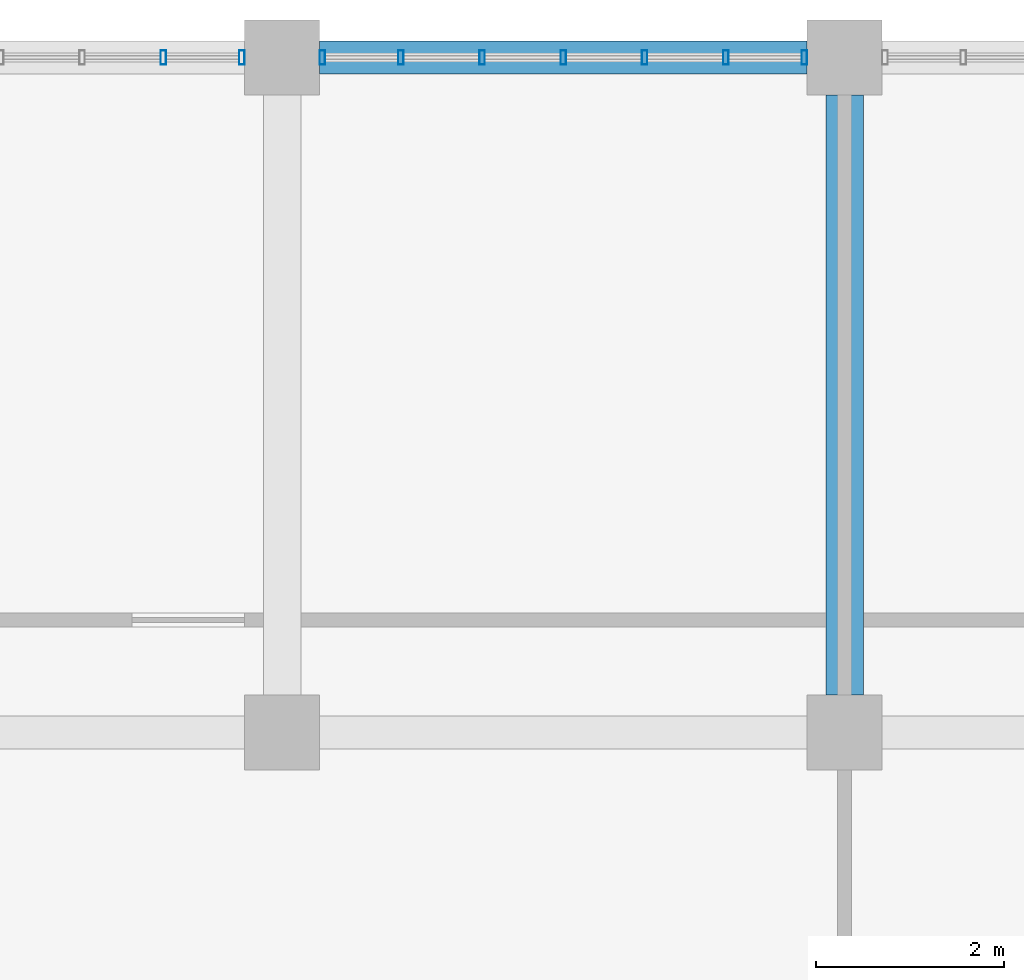
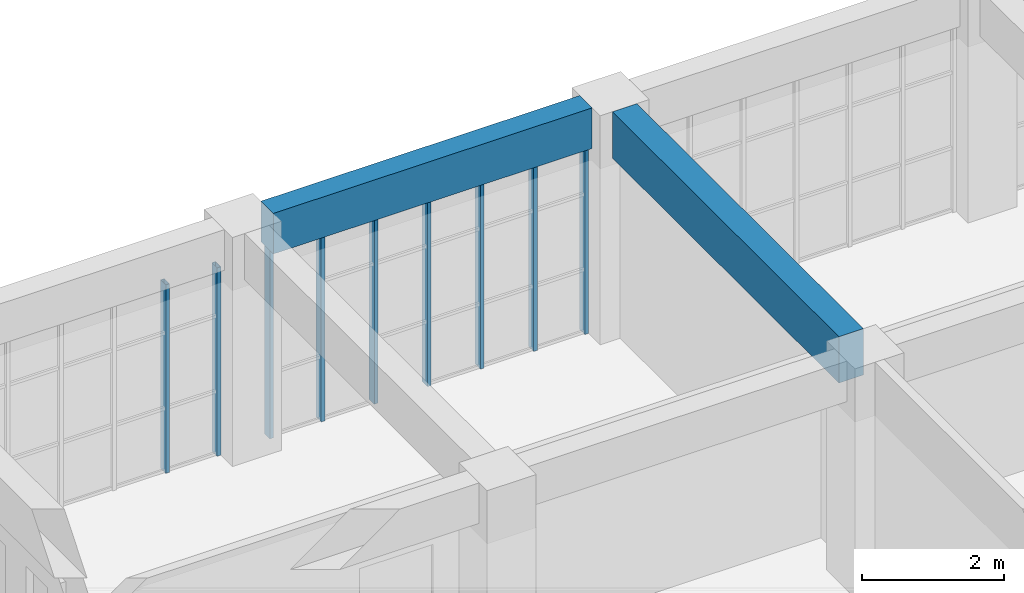
# One storey, part 8 of 51: 9 members, 2 beams, 2 elements without a shape of their own.
"""IFC4 building model written with IfcOpenShell, lengths in metres."""

from ifc_helpers import new_model, si_unit, direction, frame, origin, origin_2d, place, context, subcontext, project, spatial, rectangle, hollow_rectangle, extrude, material, material_profile, profile_set, type_object, element, aggregate, save


model = new_model("IFC4")

# Units and contexts
model_context = context("Model", 3, precision=1e-05, world=origin(), true_north=direction((0.0, 1.0)))
body_context = subcontext(model_context, "Body", "Model", "MODEL_VIEW")
ifc_project = project(units=[si_unit("LENGTHUNIT", "METRE"), si_unit("AREAUNIT", "SQUARE_METRE"), si_unit("VOLUMEUNIT", "CUBIC_METRE"), si_unit("PLANEANGLEUNIT", "RADIAN"), si_unit("MASSUNIT", "GRAM", prefix="KILO")], contexts=[model_context])

# Site, building, storey
site_placement = place(None, origin())
site = spatial("IfcSite", under=ifc_project, at=site_placement, CompositionType="ELEMENT")
building_placement = place(site_placement, origin())
building = spatial("IfcBuilding", under=site, at=building_placement, Name="Laocheng Heights Fire and Rescue Headquarters", CompositionType="ELEMENT")
storey_placement = place(building_placement, frame((0.0, 0.0, 21.0)))
storey = spatial("IfcBuildingStorey", under=building, at=storey_placement, Name="L05", CompositionType="ELEMENT", Elevation=21.0)

# Curtain wall, members
ifc_material_1 = material(Name="Dark anodised aluminium unitised curtain wall, low-e double glazing", Category="aluminium")
curtain_wall_type = type_object("IfcCurtainWallType", Name="CW 5200 x 3250 HQ NORTH GLAZING", PredefinedType="NOTDEFINED", material=ifc_material_1)
curtain_wall_1_placement = place(storey_placement, origin())
curtain_wall_1 = element("IfcCurtainWall", 1, at=curtain_wall_1_placement, inside=storey, type_object=curtain_wall_type, Name="X26-X HQ NORTH L05", PredefinedType="NOTDEFINED")
ifc_material_2 = material(Name="Dark anodised aluminium 6063-T5 extrusion", Category="aluminium")
ifc_material_profile_1 = material_profile(ifc_material_2, hollow_rectangle(XDim=0.14990234375, YDim=0.06005859375, WallThickness=0.0029296875, at=origin_2d()), Name="AL MULLION 150x60x3 HQ NORTH GLAZING")
ifc_profile_set_1 = profile_set([ifc_material_profile_1], Name="Dark anodised aluminium 6063-T5 extrusion")
member_type = type_object("IfcMemberType", Name="AL MULLION 150x60x3 HQ NORTH GLAZING", PredefinedType="MULLION", material=ifc_profile_set_1)
member_1_placement = place(storey_placement, frame((40.7333984375, 72.0, 0.0), z_axis=(0.0, 0.0, 1.0), x_axis=(0.0, 1.0, 0.0)))
member_1 = element("IfcMember", 2, at=member_1_placement, type_object=member_type, Name="X26-X mullion 6", PredefinedType="MULLION", context=body_context, shape_type="SweptSolid", body=[
    extrude(hollow_rectangle(XDim=0.14990234375, YDim=0.06005859375, WallThickness=0.0029296875, at=origin_2d()), origin(), (0.0, 0.0, 1.0), 3.25),
])
member_2_placement = place(storey_placement, frame((41.570068359375, 72.0, 0.0), z_axis=(0.0, 0.0, 1.0), x_axis=(0.0, 1.0, 0.0)))
member_2 = element("IfcMember", 3, at=member_2_placement, type_object=member_type, Name="X26-X mullion 7", PredefinedType="MULLION", context=body_context, shape_type="SweptSolid", body=[
    extrude(hollow_rectangle(XDim=0.14990234375, YDim=0.06005859375, WallThickness=0.0029296875, at=origin_2d()), origin(), (0.0, 0.0, 1.0), 3.25),
])
aggregate(curtain_wall_1, [member_1, member_2])

curtain_wall_2_placement = place(storey_placement, origin())
curtain_wall_2 = element("IfcCurtainWall", 4, at=curtain_wall_2_placement, inside=storey, type_object=curtain_wall_type, Name="X26-X HQ NORTH L05", PredefinedType="NOTDEFINED")
member_3_placement = place(storey_placement, frame((42.429931640625, 72.0, 0.0), z_axis=(0.0, 0.0, 1.0), x_axis=(0.0, 1.0, 0.0)))
member_3 = element("IfcMember", 5, at=member_3_placement, type_object=member_type, Name="X26-X mullion 1", PredefinedType="MULLION", context=body_context, shape_type="SweptSolid", body=[
    extrude(hollow_rectangle(XDim=0.14990234375, YDim=0.06005859375, WallThickness=0.0029296875, at=origin_2d()), origin(), (0.0, 0.0, 1.0), 3.25),
])
member_4_placement = place(storey_placement, frame((43.2666015625, 72.0, 0.0), z_axis=(0.0, 0.0, 1.0), x_axis=(0.0, 1.0, 0.0)))
member_4 = element("IfcMember", 6, at=member_4_placement, type_object=member_type, Name="X26-X mullion 2", PredefinedType="MULLION", context=body_context, shape_type="SweptSolid", body=[
    extrude(hollow_rectangle(XDim=0.14990234375, YDim=0.06005859375, WallThickness=0.0029296875, at=origin_2d()), origin(), (0.0, 0.0, 1.0), 3.25),
])
member_5_placement = place(storey_placement, frame((44.13330078125, 72.0, 0.0), z_axis=(0.0, 0.0, 1.0), x_axis=(0.0, 1.0, 0.0)))
member_5 = element("IfcMember", 7, at=member_5_placement, type_object=member_type, Name="X26-X mullion 3", PredefinedType="MULLION", context=body_context, shape_type="SweptSolid", body=[
    extrude(hollow_rectangle(XDim=0.14990234375, YDim=0.06005859375, WallThickness=0.0029296875, at=origin_2d()), origin(), (0.0, 0.0, 1.0), 3.25),
])
member_6_placement = place(storey_placement, frame((45.0, 72.0, 0.0), z_axis=(0.0, 0.0, 1.0), x_axis=(0.0, 1.0, 0.0)))
member_6 = element("IfcMember", 8, at=member_6_placement, type_object=member_type, Name="X26-X mullion 4", PredefinedType="MULLION", context=body_context, shape_type="SweptSolid", body=[
    extrude(hollow_rectangle(XDim=0.14990234375, YDim=0.06005859375, WallThickness=0.0029296875, at=origin_2d()), origin(), (0.0, 0.0, 1.0), 3.25),
])
member_7_placement = place(storey_placement, frame((45.86669921875, 72.0, 0.0), z_axis=(0.0, 0.0, 1.0), x_axis=(0.0, 1.0, 0.0)))
member_7 = element("IfcMember", 9, at=member_7_placement, type_object=member_type, Name="X26-X mullion 5", PredefinedType="MULLION", context=body_context, shape_type="SweptSolid", body=[
    extrude(hollow_rectangle(XDim=0.14990234375, YDim=0.06005859375, WallThickness=0.0029296875, at=origin_2d()), origin(), (0.0, 0.0, 1.0), 3.25),
])
member_8_placement = place(storey_placement, frame((46.7333984375, 72.0, 0.0), z_axis=(0.0, 0.0, 1.0), x_axis=(0.0, 1.0, 0.0)))
member_8 = element("IfcMember", 10, at=member_8_placement, type_object=member_type, Name="X26-X mullion 6", PredefinedType="MULLION", context=body_context, shape_type="SweptSolid", body=[
    extrude(hollow_rectangle(XDim=0.14990234375, YDim=0.06005859375, WallThickness=0.0029296875, at=origin_2d()), origin(), (0.0, 0.0, 1.0), 3.25),
])
member_9_placement = place(storey_placement, frame((47.570068359375, 72.0, 0.0), z_axis=(0.0, 0.0, 1.0), x_axis=(0.0, 1.0, 0.0)))
member_9 = element("IfcMember", 11, at=member_9_placement, type_object=member_type, Name="X26-X mullion 7", PredefinedType="MULLION", context=body_context, shape_type="SweptSolid", body=[
    extrude(hollow_rectangle(XDim=0.14990234375, YDim=0.06005859375, WallThickness=0.0029296875, at=origin_2d()), origin(), (0.0, 0.0, 1.0), 3.25),
])
aggregate(curtain_wall_2, [member_3, member_4, member_5, member_6, member_7, member_8, member_9])

# Beams
ifc_material_3 = material(Name="Concrete C40", Category="concrete")
ifc_material_profile_2 = material_profile(ifc_material_3, rectangle(XDim=0.35009765625, YDim=0.699951171875, at=origin_2d()), Name="RC BEAM 350x700 HQ ROOF")
ifc_profile_set_2 = profile_set([ifc_material_profile_2], Name="Concrete C40")
beam_type_1 = type_object("IfcBeamType", Name="RC BEAM 350x700 HQ ROOF", PredefinedType="BEAM", material=ifc_profile_set_2)
beam_1_placement = place(storey_placement, frame((42.39990234375, 72.0, 3.60009765625), z_axis=(1.0, 0.0, 0.0), x_axis=(0.0, 1.0, 0.0)))
element("IfcBeam", 12, at=beam_1_placement, inside=storey, type_object=beam_type_1, Name="HQ beam L05", PredefinedType="BEAM", context=body_context, shape_type="SweptSolid", body=[
    extrude(rectangle(XDim=0.35009765625, YDim=0.699951171875, at=origin_2d()), origin(), (0.0, 0.0, 1.0), 5.2001953125),
])
ifc_material_4 = material(Name="Concrete C40", Category="concrete")
ifc_material_profile_3 = material_profile(ifc_material_4, rectangle(XDim=0.39990234375, YDim=0.800048828125, at=origin_2d()), Name="RC BEAM 400x800 HQ ROOF")
ifc_profile_set_3 = profile_set([ifc_material_profile_3], Name="Concrete C40")
beam_type_2 = type_object("IfcBeamType", Name="RC BEAM 400x800 HQ ROOF", PredefinedType="BEAM", material=ifc_profile_set_3)
beam_2_placement = place(storey_placement, frame((48.0, 65.199951171875, 3.550048828125), z_axis=(0.0, 1.0, 0.0), x_axis=(-1.0, 0.0, 0.0)))
element("IfcBeam", 13, at=beam_2_placement, inside=storey, type_object=beam_type_2, Name="HQ beam L05", PredefinedType="BEAM", context=body_context, shape_type="SweptSolid", body=[
    extrude(rectangle(XDim=0.39990234375, YDim=0.800048828125, at=origin_2d()), origin(), (0.0, 0.0, 1.0), 6.400146484375),
])

save(model, "model.ifc")
